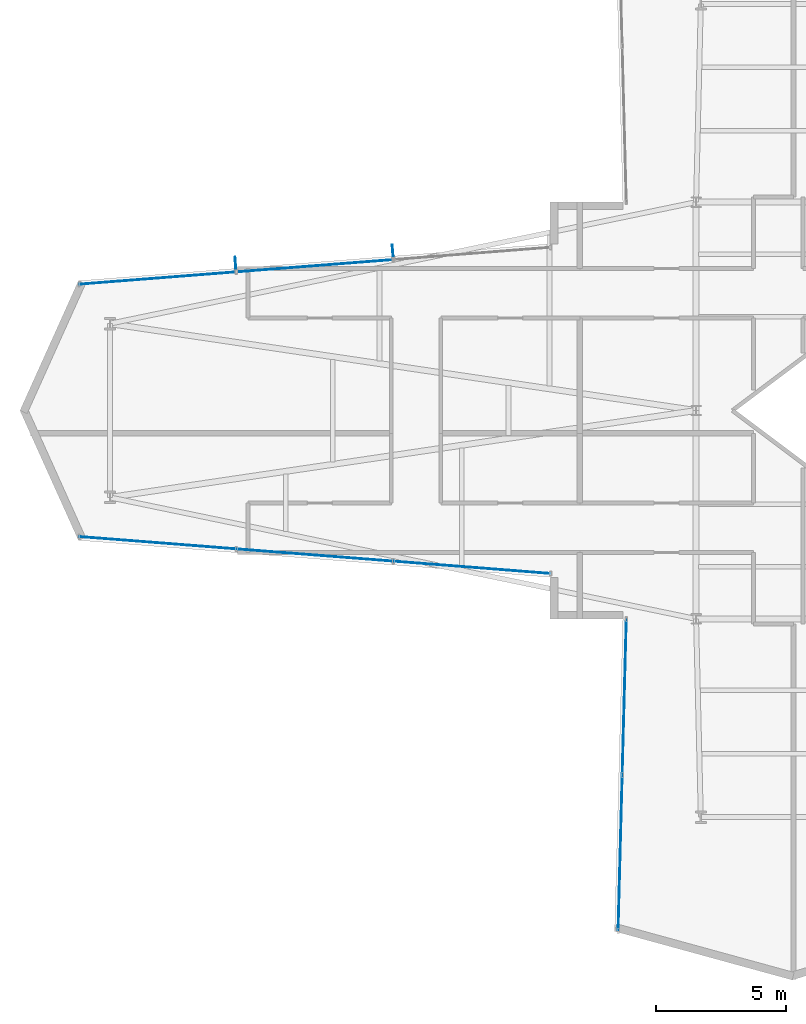
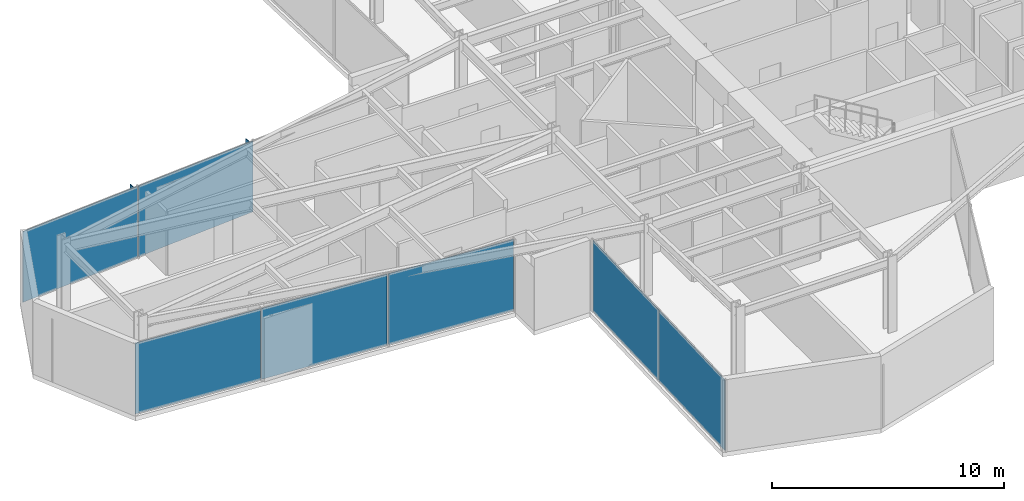
# One storey, part 24 of 30: 9 plates, 3 elements without a shape of their own.
"""IFC4 building model written with IfcOpenShell, lengths in metres."""

from ifc_helpers import new_model, si_unit, direction, frame, origin, origin_2d, place, context, subcontext, project, spatial, rectangle, extrude, material, layer, layer_set, type_object, element, aggregate, save


model = new_model("IFC4")

# Units and contexts
model_context = context("Model", 3, precision=1e-05, world=origin(), true_north=direction((0.0, 1.0)))
body_context = subcontext(model_context, "Body", "Model", "MODEL_VIEW")
ifc_project = project(units=[si_unit("LENGTHUNIT", "METRE"), si_unit("AREAUNIT", "SQUARE_METRE"), si_unit("VOLUMEUNIT", "CUBIC_METRE"), si_unit("PLANEANGLEUNIT", "RADIAN"), si_unit("MASSUNIT", "GRAM", prefix="KILO")], contexts=[model_context])

# Site, building, storey
site_placement = place(None, origin())
site = spatial("IfcSite", under=ifc_project, at=site_placement, CompositionType="ELEMENT")
building_placement = place(site_placement, origin())
building = spatial("IfcBuilding", under=site, at=building_placement, Name="Veymaron Broadcast Tower", CompositionType="ELEMENT")
storey_placement = place(building_placement, frame((0.0, 0.0, 66.14990234375)))
storey = spatial("IfcBuildingStorey", under=building, at=storey_placement, Name="L14", CompositionType="ELEMENT", Elevation=66.14990234375)

# Curtain wall, plates
ifc_material_1 = material(Name="Anodised aluminium AA 6063-T6 and laminated low-E dark glass", Category="aluminium")
ifc_layer_1 = layer(ifc_material_1, 0.179931640625)
ifc_layer_set_1 = layer_set([ifc_layer_1], Name="Anodised aluminium AA 6063-T6 and laminated low-E dark glass")
curtain_wall_type = type_object("IfcCurtainWallType", Name="CW-SYS-02", PredefinedType="NOTDEFINED", material=ifc_layer_set_1)
curtain_wall_1_placement = place(storey_placement, origin())
curtain_wall_1 = element("IfcCurtainWall", 1, at=curtain_wall_1_placement, inside=storey, type_object=curtain_wall_type, Name="L14 dark-glass curtain wall CW-L14-E11-1", PredefinedType="NOTDEFINED")
ifc_material_2 = material(Name="Double-silver solar-control dark glass IGU 32 mm", Category="glass")
ifc_layer_2 = layer(ifc_material_2, 0.031982421875)
ifc_layer_set_2 = layer_set([ifc_layer_2], Name="Double-silver solar-control dark glass IGU 32 mm")
plate_type_1 = type_object("IfcPlateType", Name="CW-PNL-02", PredefinedType="CURTAIN_PANEL", material=ifc_layer_set_2)
plate_1_placement = place(storey_placement, frame((16.56494140625, 29.55224609375, 0.0400390625), z_axis=(0.0, 0.0, 1.0), x_axis=(-0.996951473071, -0.078024101027, 0.0)))
plate_1 = element("IfcPlate", 2, at=plate_1_placement, type_object=plate_type_1, Name="CW-L14-E11-1 unitised curtain panel 1", PredefinedType="CURTAIN_PANEL", context=body_context, shape_type="SweptSolid", body=[
    extrude(rectangle(XDim=5.994384765625, YDim=0.031982421875, at=origin_2d()), origin(), (0.0, 0.0, 1.0), 3.72998046875),
])
plate_2_placement = place(storey_placement, frame((10.52880859375, 29.079833984375, 0.0400390625), z_axis=(0.0, 0.0, 1.0), x_axis=(-0.996951473071, -0.078024101027, 0.0)))
plate_2 = element("IfcPlate", 3, at=plate_2_placement, type_object=plate_type_1, Name="CW-L14-E11-1 unitised curtain panel 2", PredefinedType="CURTAIN_PANEL", context=body_context, shape_type="SweptSolid", body=[
    extrude(rectangle(XDim=5.994384765625, YDim=0.031982421875, at=origin_2d()), origin(), (0.0, 0.0, 1.0), 3.72998046875),
])
aggregate(curtain_wall_1, [plate_1, plate_2])

curtain_wall_2_placement = place(storey_placement, origin())
curtain_wall_2 = element("IfcCurtainWall", 4, at=curtain_wall_2_placement, inside=storey, type_object=curtain_wall_type, Name="L14 dark-glass curtain wall CW-L14-E14-1", PredefinedType="NOTDEFINED")
plate_3_placement = place(storey_placement, frame((10.52880859375, 18.920166015625, 0.0400390625), z_axis=(0.0, 0.0, 1.0), x_axis=(0.996951473071, -0.078024101027, 0.0)))
plate_3 = element("IfcPlate", 5, at=plate_3_placement, type_object=plate_type_1, Name="CW-L14-E14-1 unitised curtain panel 0", PredefinedType="CURTAIN_PANEL", context=body_context, shape_type="SweptSolid", body=[
    extrude(rectangle(XDim=5.994384765625, YDim=0.031982421875, at=origin_2d()), origin(), (0.0, 0.0, 1.0), 3.72998046875),
])
plate_4_placement = place(storey_placement, frame((16.56494140625, 18.44775390625, 0.0400390625), z_axis=(0.0, 0.0, 1.0), x_axis=(0.996951473071, -0.078024101027, 0.0)))
plate_4 = element("IfcPlate", 6, at=plate_4_placement, type_object=plate_type_1, Name="CW-L14-E14-1 unitised curtain panel 1", PredefinedType="CURTAIN_PANEL", context=body_context, shape_type="SweptSolid", body=[
    extrude(rectangle(XDim=5.994384765625, YDim=0.031982421875, at=origin_2d()), origin(), (0.0, 0.0, 1.0), 3.72998046875),
])
plate_5_placement = place(storey_placement, frame((22.600830078125, 17.975341796875, 0.0400390625), z_axis=(0.0, 0.0, 1.0), x_axis=(0.996951473071, -0.078024101027, 0.0)))
plate_5 = element("IfcPlate", 7, at=plate_5_placement, type_object=plate_type_1, Name="CW-L14-E14-1 unitised curtain panel 2", PredefinedType="CURTAIN_PANEL", context=body_context, shape_type="SweptSolid", body=[
    extrude(rectangle(XDim=5.994384765625, YDim=0.031982421875, at=origin_2d()), origin(), (0.0, 0.0, 1.0), 3.72998046875),
])
aggregate(curtain_wall_2, [plate_3, plate_4, plate_5])

curtain_wall_3_placement = place(storey_placement, origin())
curtain_wall_3 = element("IfcCurtainWall", 8, at=curtain_wall_3_placement, inside=storey, type_object=curtain_wall_type, Name="L14 dark-glass curtain wall CW-L14-E17-1", PredefinedType="NOTDEFINED")
plate_6_placement = place(storey_placement, frame((28.4482421875, 13.0009765625, 0.0400390625), z_axis=(0.0, 0.0, 1.0), x_axis=(-0.026299079294, -0.999654119397, 0.0)))
plate_6 = element("IfcPlate", 9, at=plate_6_placement, type_object=plate_type_1, Name="CW-L14-E17-1 unitised curtain panel 0", PredefinedType="CURTAIN_PANEL", context=body_context, shape_type="SweptSolid", body=[
    extrude(rectangle(XDim=5.9326171875, YDim=0.031982421875, at=origin_2d()), origin(), (0.0, 0.0, 1.0), 3.72998046875),
])
plate_7_placement = place(storey_placement, frame((28.29052734375, 7.010498046875, 0.0400390625), z_axis=(0.0, 0.0, 1.0), x_axis=(-0.026299079294, -0.999654119397, 0.0)))
plate_7 = element("IfcPlate", 10, at=plate_7_placement, type_object=plate_type_1, Name="CW-L14-E17-1 unitised curtain panel 1", PredefinedType="CURTAIN_PANEL", context=body_context, shape_type="SweptSolid", body=[
    extrude(rectangle(XDim=5.9326171875, YDim=0.031982421875, at=origin_2d()), origin(), (0.0, 0.0, 1.0), 3.72998046875),
])
aggregate(curtain_wall_3, [plate_6, plate_7])

# Plates
ifc_material_3 = material(Name="Dark-anodised aluminium AA 6061-T6", Category="aluminium")
ifc_layer_3 = layer(ifc_material_3, 0.034912109375)
ifc_layer_set_3 = layer_set([ifc_layer_3], Name="Dark-anodised aluminium AA 6061-T6")
plate_type_2 = type_object("IfcPlateType", Name="FIN-CHEV-01", PredefinedType="USERDEFINED", material=ifc_layer_set_3)
for number, where, z_axis, x_axis, name in (
    (11, (19.55517578125, 30.142333984375, 0.2666015625), (0.0, 0.0, 1.0), (-0.078024101027, 0.996951473071, 0.0), "CW-L14-E11-1 chevron fin 1"),
    (12, (13.519287109375, 29.669921875, 0.2666015625), (0.0, 0.0, 1.0), (-0.078024101027, 0.996951473071, 0.0), "CW-L14-E11-1 chevron fin 2"),
):
    element("IfcPlate", number, at=place(storey_placement, frame(where, z_axis=z_axis, x_axis=x_axis)), inside=storey, type_object=plate_type_2, Name=name, ObjectType="FIN", PredefinedType="USERDEFINED", context=body_context, shape_type="SweptSolid", body=[
        extrude(rectangle(XDim=0.449951171875, YDim=0.034912109375, at=origin_2d()), origin(), (0.0, 0.0, 1.0), 3.276611328125),
    ])

save(model, "model.ifc")
